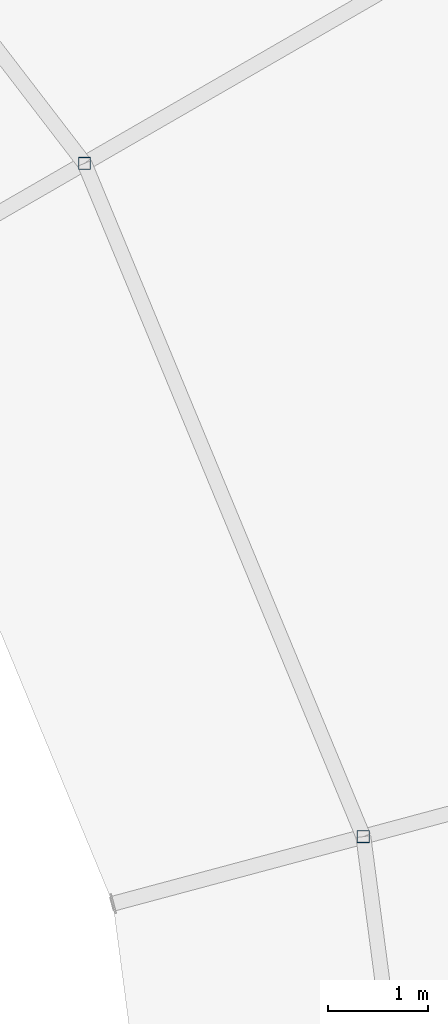
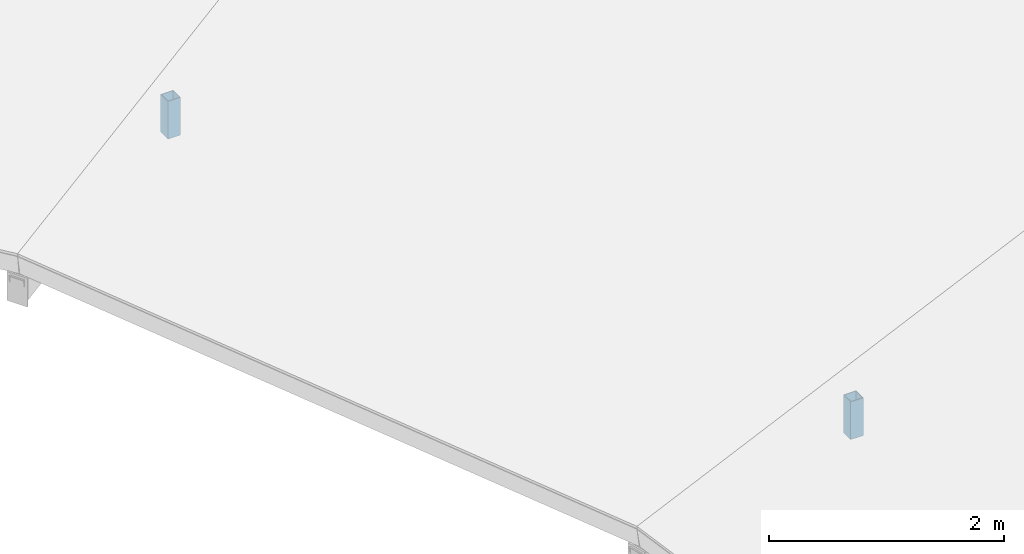
# One storey, part 133 of 200: 2 members.
"""IFC4 building model written with IfcOpenShell, lengths in metres."""

import ifcopenshell
import ifcopenshell.guid

model = None  # the IFC model being written
_history = None  # IfcOwnerHistory: only IFC2X3 demands one
_inside = {}  # id of a spatial element -> (the spatial element, [elements in it])
_under = {}  # id of a project, library or spatial element -> (it, [spatial elements below it])
_declared = {}  # id of a project -> (the project, [libraries it declares])
_typed = {}  # id of a type object -> (the type object, [elements of that type])
_made_of = {}  # id of a material, layer set ... -> (it, [elements and type objects made of it])


def new_model(schema):
    """Start an empty IFC model of exactly this schema.

    Asked for "IFC4X3", IfcOpenShell would pick the latest addendum, in which some entities
    have other attributes; the version numbers below select the first issue.
    IFC2X3 requires an IfcOwnerHistory on every rooted entity: one is made here for all.
    """
    global model, _history
    if schema == "IFC4X3":
        model = ifcopenshell.file(schema_version=(4, 3, 0, 0))
    else:
        model = ifcopenshell.file(schema=schema)
    _inside.clear()
    _under.clear()
    _declared.clear()
    _typed.clear()
    _made_of.clear()
    _history = None
    if model.schema == "IFC2X3":
        org = make("IfcOrganization", Name="unknown")
        user = make(
            "IfcPersonAndOrganization",
            ThePerson=make("IfcPerson", FamilyName="unknown"),
            TheOrganization=org,
        )
        app = make(
            "IfcApplication",
            ApplicationDeveloper=org,
            Version="unknown",
            ApplicationFullName="unknown",
            ApplicationIdentifier="unknown",
        )
        _history = make(
            "IfcOwnerHistory",
            OwningUser=user,
            OwningApplication=app,
            ChangeAction="ADDED",
            CreationDate=0,
        )
    return model


def make(cls, **values):
    """One entity of the class cls with the attributes given. An attribute that is None is left unset."""
    return model.create_entity(
        cls, **{name: value for name, value in values.items() if value is not None}
    )


def rooted(cls, **values):
    """An entity with a GlobalId (a new one), such as an element, a storey or a relation."""
    return make(cls, GlobalId=ifcopenshell.guid.new(), OwnerHistory=_history, **values)


def si_unit(unit_type, name, prefix=None):
    """IfcSIUnit, for example si_unit("LENGTHUNIT", "METRE", prefix="MILLI")."""
    return make("IfcSIUnit", UnitType=unit_type, Prefix=prefix, Name=name)


def assignment(units):
    """IfcUnitAssignment: the units of a project."""
    return None if units is None else make("IfcUnitAssignment", Units=units)


def point(xyz):
    """IfcCartesianPoint."""
    return None if xyz is None else make("IfcCartesianPoint", Coordinates=xyz)


def direction(xyz):
    """IfcDirection."""
    return None if xyz is None else make("IfcDirection", DirectionRatios=xyz)


def frame(location, z_axis=None, x_axis=None):
    """IfcAxis2Placement3D, a coordinate frame: its origin and axes. An axis left out is left unset."""
    return make(
        "IfcAxis2Placement3D",
        Location=point(location),
        Axis=direction(z_axis),
        RefDirection=direction(x_axis),
    )


def frame_2d(location, x_axis=None):
    """IfcAxis2Placement2D, a coordinate frame in the plane: its origin and x axis."""
    return make(
        "IfcAxis2Placement2D", Location=point(location), RefDirection=direction(x_axis)
    )


def origin():
    """The frame at (0, 0, 0) with its axes left unset."""
    return frame((0.0, 0.0, 0.0))


def origin_2d():
    """The frame at (0, 0) in the plane with its x axis left unset."""
    return frame_2d((0.0, 0.0))


def place(relative_to, where):
    """IfcLocalPlacement: puts the frame where relative to a parent placement (None: the world)."""
    return make(
        "IfcLocalPlacement", PlacementRelTo=relative_to, RelativePlacement=where
    )


def context(
    kind, dimensions, precision=None, world=None, true_north=None, identifier=None
):
    """IfcGeometricRepresentationContext, for example the 3D "Model" context."""
    return make(
        "IfcGeometricRepresentationContext",
        ContextIdentifier=identifier,
        ContextType=kind,
        CoordinateSpaceDimension=dimensions,
        Precision=precision,
        WorldCoordinateSystem=world,
        TrueNorth=true_north,
    )


def subcontext(parent, identifier, kind, view, scale=None):
    """IfcGeometricRepresentationSubContext, for example "Body" below "Model"."""
    return make(
        "IfcGeometricRepresentationSubContext",
        ContextIdentifier=identifier,
        ContextType=kind,
        ParentContext=parent,
        TargetScale=scale,
        TargetView=view,
    )


def project(units=None, contexts=None):
    """IfcProject with its units and contexts."""
    return rooted(
        "IfcProject",
        Name="project",
        RepresentationContexts=contexts,
        UnitsInContext=assignment(units),
    )


def spatial(cls, under=None, at=None, **own):
    """A site, building, storey or space (cls), placed at a placement, below another one or the project."""
    s = rooted(cls, ObjectPlacement=at, **own)
    if under is not None:
        _under.setdefault(under.id(), (under, []))[1].append(s)
    return s


def profile(cls, at=None, kind="AREA", **sizes):
    """A parametric profile (cls). Its sizes go by their IFC names, for example OverallWidth=200.0."""
    return make(cls, ProfileType=kind, Position=at, **sizes)


def hollow_rectangle(**sizes):
    """IfcRectangleHollowProfileDef."""
    return profile("IfcRectangleHollowProfileDef", **sizes)


def extrude(swept, where, along, depth):
    """IfcExtrudedAreaSolid: the profile swept, set in the frame where, extruded along a direction by depth."""
    return make(
        "IfcExtrudedAreaSolid",
        SweptArea=swept,
        Position=where,
        ExtrudedDirection=direction(along),
        Depth=depth,
    )


def shape(context_of_items, identifier, shape_type, items):
    """IfcShapeRepresentation: the items that make up one representation, for example the "Body"."""
    return make(
        "IfcShapeRepresentation",
        ContextOfItems=context_of_items,
        RepresentationIdentifier=identifier,
        RepresentationType=shape_type,
        Items=items,
    )


def material(Name=None, Category=None):
    """IfcMaterial."""
    return make("IfcMaterial", Name=Name, Category=Category)


def material_profile(
    of_material, cross_section, Name=None, Category=None, Priority=None
):
    """IfcMaterialProfile: a cross section and its material."""
    return make(
        "IfcMaterialProfile",
        Name=Name,
        Material=of_material,
        Profile=cross_section,
        Priority=Priority,
        Category=Category,
    )


def profile_set(profiles, Name=None, composite=None):
    """IfcMaterialProfileSet."""
    return make(
        "IfcMaterialProfileSet",
        Name=Name,
        MaterialProfiles=profiles,
        CompositeProfile=composite,
    )


def made_of(thing, what):
    """Note that an element or type object is made of a material, layer set ...; save() writes the relation."""
    if what is not None:
        _made_of.setdefault(what.id(), (what, []))[1].append(thing)
    return thing


def type_object(cls, material=None, **own):
    """A type object (cls), such as IfcWallType, which elements share."""
    return made_of(rooted(cls, **own), material)


def element(
    cls,
    number,
    at=None,
    inside=None,
    cuts=None,
    type_object=None,
    material=None,
    context=None,
    identifier="Body",
    shape_type=None,
    held_by="IfcProductDefinitionShape",
    body=None,
    shapes=None,
    **own,
):
    """One element of the class cls, such as IfcWall. Its Tag is "e" and its number.

    at: its placement. inside: the storey or other place that contains it. cuts: it is an
    opening in that element (IfcRelVoidsElement). A single representation is given by context,
    identifier, shape_type and body (its items); several are given by shapes. held_by: the class
    of the entity that holds the representations. save() writes the other relations.
    """
    e = rooted(cls, Tag="e%d" % number, ObjectPlacement=at, **own)
    if body is not None:
        shapes = [shape(context, identifier, shape_type, body)]
    if shapes is not None:
        e.Representation = make(held_by, Representations=shapes)
    if inside is not None:
        _inside.setdefault(inside.id(), (inside, []))[1].append(e)
    if cuts is not None:
        rooted(
            "IfcRelVoidsElement", RelatingBuildingElement=cuts, RelatedOpeningElement=e
        )
    if type_object is not None:
        _typed.setdefault(type_object.id(), (type_object, []))[1].append(e)
    return made_of(e, material)


def aggregate(whole, parts):
    """IfcRelAggregates: a whole, such as a stair, and the parts it consists of."""
    return rooted("IfcRelAggregates", RelatingObject=whole, RelatedObjects=parts)


def save(model, path):
    """Write the relations noted so far, then the file.

    IfcRelAggregates (storeys below a building ...), IfcRelContainedInSpatialStructure (elements
    in a storey), IfcRelDefinesByType, IfcRelAssociatesMaterial and IfcRelDeclares: one each for
    every whole, place, type object, material and project.
    """
    for whole, parts in _under.values():
        aggregate(whole, parts)
    for where, things in _inside.values():
        rooted(
            "IfcRelContainedInSpatialStructure",
            RelatedElements=things,
            RelatingStructure=where,
        )
    for kind, things in _typed.values():
        rooted("IfcRelDefinesByType", RelatedObjects=things, RelatingType=kind)
    for what, things in _made_of.values():
        rooted("IfcRelAssociatesMaterial", RelatedObjects=things, RelatingMaterial=what)
    for by, libraries in _declared.values():
        rooted("IfcRelDeclares", RelatingContext=by, RelatedDefinitions=libraries)
    model.write(path)


model = new_model("IFC4")

# Units and contexts
model_context = context("Model", 3, precision=1e-05, world=origin(), true_north=direction((0.0, 1.0)))
body_context = subcontext(model_context, "Body", "Model", "MODEL_VIEW")
ifc_project = project(units=[si_unit("LENGTHUNIT", "METRE"), si_unit("AREAUNIT", "SQUARE_METRE"), si_unit("VOLUMEUNIT", "CUBIC_METRE"), si_unit("PLANEANGLEUNIT", "RADIAN"), si_unit("MASSUNIT", "GRAM", prefix="KILO")], contexts=[model_context])

# Site, building, storey
site_placement = place(None, origin())
site = spatial("IfcSite", under=ifc_project, at=site_placement, CompositionType="ELEMENT")
building_placement = place(site_placement, origin())
building = spatial("IfcBuilding", under=site, at=building_placement, Name="Vondelvale Polytechnic", CompositionType="ELEMENT")
storey_placement = place(building_placement, frame((0.0, 0.0, 13.800048828125)))
storey = spatial("IfcBuildingStorey", under=building, at=storey_placement, Name="L03", CompositionType="ELEMENT", Elevation=13.800048828125)

# Members
ifc_material = material(Name="Steel C350L0 (fy = 350 MPa)", Category="steel")
ifc_material_profile = material_profile(ifc_material, hollow_rectangle(XDim=0.125, YDim=0.125, WallThickness=0.006103515625, at=origin_2d()), Name="125x125x6.0SHS")
ifc_profile_set = profile_set([ifc_material_profile], Name="Steel C350L0 (fy = 350 MPa)")
member_type = type_object("IfcMemberType", Name="ROOF TRUSS POST 125SHS", PredefinedType="POST", material=ifc_profile_set)
for number, where, z_axis, x_axis, name in (
    (1, (129.0458984375, 79.246826171875, 0.0), (0.0, 0.0, 1.0), (1.0, 0.0, 0.0), "Ring inner eave post 01"),
    (2, (126.248779296875, 86.0, 0.0), (0.0, 0.0, 1.0), (1.0, 0.0, 0.0), "Ring inner eave post 02"),
):
    element("IfcMember", number, at=place(storey_placement, frame(where, z_axis=z_axis, x_axis=x_axis)), inside=storey, type_object=member_type, Name=name, PredefinedType="POST", context=body_context, shape_type="SweptSolid", body=[
        extrude(hollow_rectangle(XDim=0.125, YDim=0.125, WallThickness=0.006103515625, at=origin_2d()), origin(), (0.0, 0.0, 1.0), 0.3916015625),
    ])

save(model, "model.ifc")
